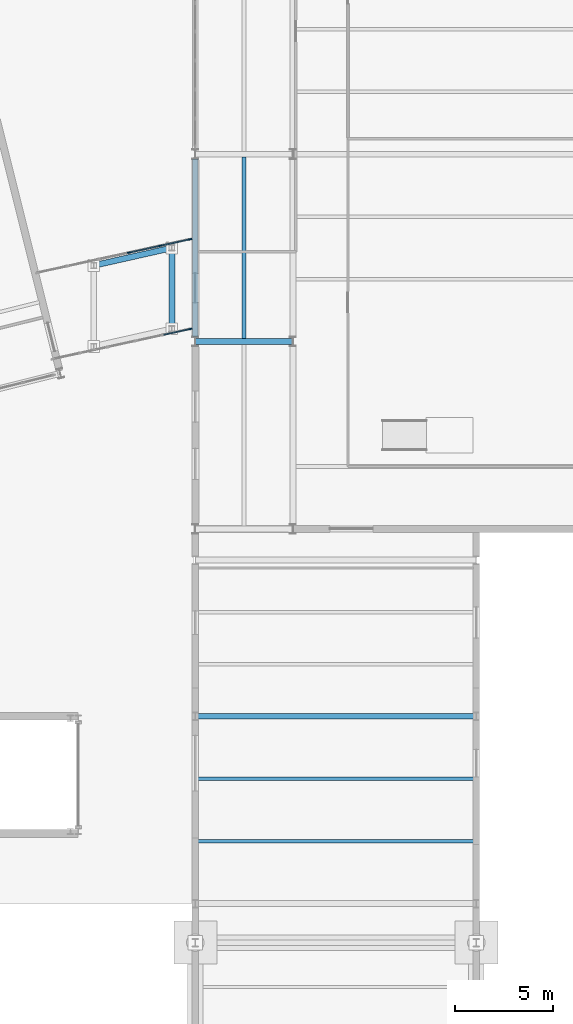
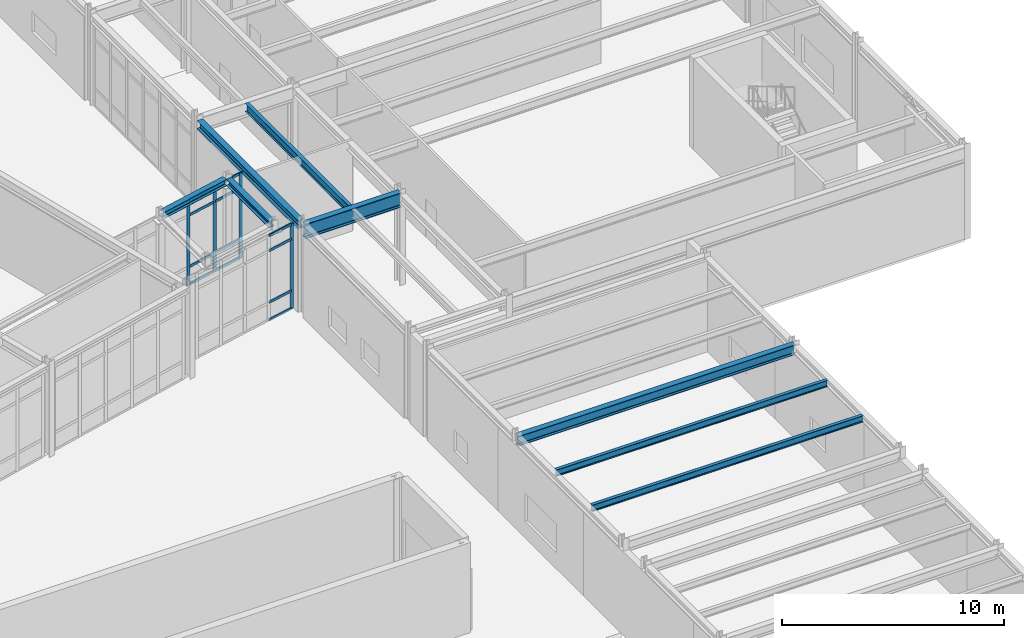
# One storey, part 32 of 109: 16 members, 8 beams, 2 elements without a shape of their own.
"""IFC4 building model written with IfcOpenShell, lengths in metres."""

from ifc_helpers import new_model, si_unit, direction, frame, origin, origin_2d, place, context, subcontext, project, spatial, rectangle, i_section, extrude, material, layer, layer_set, material_profile, profile_set, type_object, element, aggregate, save


model = new_model("IFC4")

# Units and contexts
model_context = context("Model", 3, precision=1e-05, world=origin(), true_north=direction((0.0, 1.0)))
body_context = subcontext(model_context, "Body", "Model", "MODEL_VIEW")
ifc_project = project(units=[si_unit("LENGTHUNIT", "METRE"), si_unit("AREAUNIT", "SQUARE_METRE"), si_unit("VOLUMEUNIT", "CUBIC_METRE"), si_unit("PLANEANGLEUNIT", "RADIAN"), si_unit("MASSUNIT", "GRAM", prefix="KILO")], contexts=[model_context])

# Site, building, storey
site_placement = place(None, origin())
site = spatial("IfcSite", under=ifc_project, at=site_placement, CompositionType="ELEMENT")
building_placement = place(site_placement, origin())
building = spatial("IfcBuilding", under=site, at=building_placement, Name="Nordkorset Police Headquarters", CompositionType="ELEMENT")
storey_placement = place(building_placement, origin())
storey = spatial("IfcBuildingStorey", under=building, at=storey_placement, Name="L00", CompositionType="ELEMENT", Elevation=0.0)

# Beams
ifc_material_1 = material(Name="Steel S355J2", Category="steel")
ifc_material_profile_1 = material_profile(ifc_material_1, i_section(OverallWidth=0.169921875, OverallDepth=0.360107421875, WebThickness=0.008056640625, FlangeThickness=0.0126953125, FilletRadius=0.01806640625, at=origin_2d()), Name="IPE 360")
ifc_profile_set_1 = profile_set([ifc_material_profile_1], Name="Steel S355J2")
beam_type_1 = type_object("IfcBeamType", Name="Beam_IPE_360", PredefinedType="BEAM", material=ifc_profile_set_1)
for number, where, z_axis, x_axis, name in (
    (1, (86.550048828125, 32.0, 4.820068359375), (1.0, 0.0, 0.0), (0.0, 1.0, 0.0), "Composite Floor Beam V7EN L00 0-0-1"),
    (2, (86.550048828125, 35.199951171875, 4.820068359375), (1.0, 0.0, 0.0), (0.0, 1.0, 0.0), "Composite Floor Beam V7EN L00 0-0-2"),
):
    element("IfcBeam", number, at=place(storey_placement, frame(where, z_axis=z_axis, x_axis=x_axis)), inside=storey, type_object=beam_type_1, Name=name, PredefinedType="BEAM", context=body_context, shape_type="SweptSolid", body=[
        extrude(i_section(OverallWidth=0.169921875, OverallDepth=0.360107421875, WebThickness=0.008056640625, FlangeThickness=0.0126953125, FilletRadius=0.01806640625, at=origin_2d()), origin(), (0.0, 0.0, 1.0), 14.099853515625),
    ])
ifc_material_2 = material(Name="Steel S355J2", Category="steel")
ifc_material_profile_2 = material_profile(ifc_material_2, i_section(OverallWidth=0.18994140625, OverallDepth=0.449951171875, WebThickness=0.009521484375, FlangeThickness=0.0146484375, FilletRadius=0.02099609375, at=origin_2d()), Name="IPE 450")
ifc_profile_set_2 = profile_set([ifc_material_profile_2], Name="Steel S355J2")
beam_type_2 = type_object("IfcBeamType", Name="Beam_IPE_450", PredefinedType="BEAM", material=ifc_profile_set_2)
beam_1_placement = place(storey_placement, frame((88.89990234375, 57.75, 4.77490234375), z_axis=(0.0, 1.0, 0.0), x_axis=(-1.0, 0.0, 0.0)))
element("IfcBeam", 3, at=beam_1_placement, inside=storey, type_object=beam_type_2, Name="Composite Floor Beam V5 L00 0-1-1", PredefinedType="BEAM", context=body_context, shape_type="SweptSolid", body=[
    extrude(i_section(OverallWidth=0.18994140625, OverallDepth=0.449951171875, WebThickness=0.009521484375, FlangeThickness=0.0146484375, FilletRadius=0.02099609375, at=origin_2d()), origin(), (0.0, 0.0, 1.0), 9.300048828125),
])

# Curtain wall, member
ifc_material_3 = material(Name="Aluminium alloy AW-6060", Category="aluminium")
ifc_layer_1 = layer(ifc_material_3, 0.179931640625, Name="Aluminium alloy AW-6060")
ifc_layer_set_1 = layer_set([ifc_layer_1], Name="Aluminium alloy AW-6060")
curtain_wall_type_1 = type_object("IfcCurtainWallType", Name="CW_Unit_727x468", PredefinedType="USERDEFINED", material=ifc_layer_set_1)
curtain_wall_1_placement = place(storey_placement, origin())
curtain_wall_1 = element("IfcCurtainWall", 4, at=curtain_wall_1_placement, inside=storey, type_object=curtain_wall_type_1, Name="Unitised Curtain Wall L00 BRGE-S", ObjectType="UNITISED CURTAIN WALL", PredefinedType="USERDEFINED")
ifc_material_4 = material(Name="Aluminium alloy AW-6060", Category="aluminium")
ifc_material_profile_3 = material_profile(ifc_material_4, rectangle(XDim=0.06494140625, YDim=0.179931640625, at=origin_2d()), Name="ALU MULL 65x180")
ifc_profile_set_3 = profile_set([ifc_material_profile_3], Name="Aluminium alloy AW-6060")
member_type_1 = type_object("IfcMemberType", Name="CW_Mullion_65x180", PredefinedType="MULLION", material=ifc_profile_set_3)
member_1_placement = place(storey_placement, frame((86.142333984375, 58.24462890625, 0.0), z_axis=(0.0, 0.0, 1.0), x_axis=(-0.213736608425, 0.976891325695, 0.0)))
member_1 = element("IfcMember", 5, at=member_1_placement, type_object=member_type_1, Name="CW-33 mullion 6", PredefinedType="MULLION", context=body_context, shape_type="SweptSolid", body=[
    extrude(rectangle(XDim=0.06494140625, YDim=0.179931640625, at=origin_2d()), origin(), (0.0, 0.0, 1.0), 4.68505859375),
])

# Curtain wall, members
ifc_material_5 = material(Name="Aluminium alloy AW-6060", Category="aluminium")
ifc_layer_2 = layer(ifc_material_5, 0.179931640625, Name="Aluminium alloy AW-6060")
ifc_layer_set_2 = layer_set([ifc_layer_2], Name="Aluminium alloy AW-6060")
curtain_wall_type_2 = type_object("IfcCurtainWallType", Name="CW_Unit_809x468", PredefinedType="USERDEFINED", material=ifc_layer_set_2)
curtain_wall_2_placement = place(storey_placement, origin())
curtain_wall_2 = element("IfcCurtainWall", 6, at=curtain_wall_2_placement, inside=storey, type_object=curtain_wall_type_2, Name="Unitised Curtain Wall L00 BRGE-N", ObjectType="UNITISED CURTAIN WALL", PredefinedType="USERDEFINED")
member_2_placement = place(storey_placement, frame((83.014892578125, 62.158203125, 0.0), z_axis=(0.0, 0.0, 1.0), x_axis=(-0.214298001706, 0.976768327939, 0.0)))
member_2 = element("IfcMember", 7, at=member_2_placement, type_object=member_type_1, Name="CW-59 mullion 4", PredefinedType="MULLION", context=body_context, shape_type="SweptSolid", body=[
    extrude(rectangle(XDim=0.06494140625, YDim=0.179931640625, at=origin_2d()), origin(), (0.0, 0.0, 1.0), 4.68505859375),
])
member_3_placement = place(storey_placement, frame((84.594482421875, 62.5048828125, 0.0), z_axis=(0.0, 0.0, 1.0), x_axis=(-0.214298001706, 0.976768327939, 0.0)))
member_3 = element("IfcMember", 8, at=member_3_placement, type_object=member_type_1, Name="CW-59 mullion 5", PredefinedType="MULLION", context=body_context, shape_type="SweptSolid", body=[
    extrude(rectangle(XDim=0.06494140625, YDim=0.179931640625, at=origin_2d()), origin(), (0.0, 0.0, 1.0), 4.68505859375),
])
member_4_placement = place(storey_placement, frame((86.142333984375, 62.844482421875, 0.0), z_axis=(0.0, 0.0, 1.0), x_axis=(-0.214298001706, 0.976768327939, 0.0)))
member_4 = element("IfcMember", 9, at=member_4_placement, type_object=member_type_1, Name="CW-59 mullion 6", PredefinedType="MULLION", context=body_context, shape_type="SweptSolid", body=[
    extrude(rectangle(XDim=0.06494140625, YDim=0.179931640625, at=origin_2d()), origin(), (0.0, 0.0, 1.0), 4.68505859375),
])

# Member
ifc_material_6 = material(Name="Aluminium alloy AW-6060", Category="aluminium")
ifc_material_profile_4 = material_profile(ifc_material_6, rectangle(XDim=0.06494140625, YDim=0.139892578125, at=origin_2d()), Name="ALU TRAN 65x140")
ifc_profile_set_4 = profile_set([ifc_material_profile_4], Name="Aluminium alloy AW-6060")
member_type_2 = type_object("IfcMemberType", Name="CW_Transom_65x140", PredefinedType="USERDEFINED", material=ifc_profile_set_4)
member_5_placement = place(storey_placement, frame((84.7861328125, 57.94775390625, 0.032470703125), z_axis=(0.976889443486, 0.213745210953, 0.0), x_axis=(-0.213745210953, 0.976889443486, 0.0)))
member_5 = element("IfcMember", 10, at=member_5_placement, type_object=member_type_2, Name="CW-33 transom 5.1", ObjectType="TRANSOM", PredefinedType="USERDEFINED", context=body_context, shape_type="SweptSolid", body=[
    extrude(rectangle(XDim=0.06494140625, YDim=0.139892578125, at=origin_2d()), origin(), (0.0, 0.0, 1.0), 1.355712890625),
])

member_6_placement = place(storey_placement, frame((84.7861328125, 57.94775390625, 1.0), z_axis=(0.976889443486, 0.213745210953, 0.0), x_axis=(-0.213745210953, 0.976889443486, 0.0)))
member_6 = element("IfcMember", 11, at=member_6_placement, type_object=member_type_2, Name="CW-33 transom 5.2", ObjectType="TRANSOM", PredefinedType="USERDEFINED", context=body_context, shape_type="SweptSolid", body=[
    extrude(rectangle(XDim=0.06494140625, YDim=0.139892578125, at=origin_2d()), origin(), (0.0, 0.0, 1.0), 1.355712890625),
])

member_7_placement = place(storey_placement, frame((84.7861328125, 57.94775390625, 3.8349609375), z_axis=(0.976889443486, 0.213745210953, 0.0), x_axis=(-0.213745210953, 0.976889443486, 0.0)))
member_7 = element("IfcMember", 12, at=member_7_placement, type_object=member_type_2, Name="CW-33 transom 5.3", ObjectType="TRANSOM", PredefinedType="USERDEFINED", context=body_context, shape_type="SweptSolid", body=[
    extrude(rectangle(XDim=0.06494140625, YDim=0.139892578125, at=origin_2d()), origin(), (0.0, 0.0, 1.0), 1.355712890625),
])

member_8_placement = place(storey_placement, frame((84.7861328125, 57.94775390625, 4.652587890625), z_axis=(0.976889443486, 0.213745210953, 0.0), x_axis=(-0.213745210953, 0.976889443486, 0.0)))
member_8 = element("IfcMember", 13, at=member_8_placement, type_object=member_type_2, Name="CW-33 transom 5.4", ObjectType="TRANSOM", PredefinedType="USERDEFINED", context=body_context, shape_type="SweptSolid", body=[
    extrude(rectangle(XDim=0.06494140625, YDim=0.139892578125, at=origin_2d()), origin(), (0.0, 0.0, 1.0), 1.355712890625),
])

aggregate(curtain_wall_1, [member_1, member_5, member_6, member_7, member_8])

member_9_placement = place(storey_placement, frame((83.046630859375, 62.165283203125, 0.032470703125), z_axis=(0.976782891569, 0.214231610035, 0.0), x_axis=(-0.214231610035, 0.976782891569, 0.0)))
member_9 = element("IfcMember", 14, at=member_9_placement, type_object=member_type_2, Name="CW-59 transom 4.1", ObjectType="TRANSOM", PredefinedType="USERDEFINED", context=body_context, shape_type="SweptSolid", body=[
    extrude(rectangle(XDim=0.06494140625, YDim=0.139892578125, at=origin_2d()), origin(), (0.0, 0.0, 1.0), 1.55224609375),
])

member_10_placement = place(storey_placement, frame((83.046630859375, 62.165283203125, 1.0), z_axis=(0.976782891569, 0.214231610035, 0.0), x_axis=(-0.214231610035, 0.976782891569, 0.0)))
member_10 = element("IfcMember", 15, at=member_10_placement, type_object=member_type_2, Name="CW-59 transom 4.2", ObjectType="TRANSOM", PredefinedType="USERDEFINED", context=body_context, shape_type="SweptSolid", body=[
    extrude(rectangle(XDim=0.06494140625, YDim=0.139892578125, at=origin_2d()), origin(), (0.0, 0.0, 1.0), 1.55224609375),
])

member_11_placement = place(storey_placement, frame((83.046630859375, 62.165283203125, 3.8349609375), z_axis=(0.976782891569, 0.214231610035, 0.0), x_axis=(-0.214231610035, 0.976782891569, 0.0)))
member_11 = element("IfcMember", 16, at=member_11_placement, type_object=member_type_2, Name="CW-59 transom 4.3", ObjectType="TRANSOM", PredefinedType="USERDEFINED", context=body_context, shape_type="SweptSolid", body=[
    extrude(rectangle(XDim=0.06494140625, YDim=0.139892578125, at=origin_2d()), origin(), (0.0, 0.0, 1.0), 1.55224609375),
])

member_12_placement = place(storey_placement, frame((83.046630859375, 62.165283203125, 4.652587890625), z_axis=(0.976782891569, 0.214231610035, 0.0), x_axis=(-0.214231610035, 0.976782891569, 0.0)))
member_12 = element("IfcMember", 17, at=member_12_placement, type_object=member_type_2, Name="CW-59 transom 4.4", ObjectType="TRANSOM", PredefinedType="USERDEFINED", context=body_context, shape_type="SweptSolid", body=[
    extrude(rectangle(XDim=0.06494140625, YDim=0.139892578125, at=origin_2d()), origin(), (0.0, 0.0, 1.0), 1.55224609375),
])

member_13_placement = place(storey_placement, frame((84.626220703125, 62.51171875, 0.032470703125), z_axis=(0.976765673538, 0.214310100082, 0.0), x_axis=(-0.214310100082, 0.976765673538, 0.0)))
member_13 = element("IfcMember", 18, at=member_13_placement, type_object=member_type_2, Name="CW-59 transom 5.1", ObjectType="TRANSOM", PredefinedType="USERDEFINED", context=body_context, shape_type="SweptSolid", body=[
    extrude(rectangle(XDim=0.06494140625, YDim=0.139892578125, at=origin_2d()), origin(), (0.0, 0.0, 1.0), 1.519775390625),
])

member_14_placement = place(storey_placement, frame((84.626220703125, 62.51171875, 1.0), z_axis=(0.976765673538, 0.214310100082, 0.0), x_axis=(-0.214310100082, 0.976765673538, 0.0)))
member_14 = element("IfcMember", 19, at=member_14_placement, type_object=member_type_2, Name="CW-59 transom 5.2", ObjectType="TRANSOM", PredefinedType="USERDEFINED", context=body_context, shape_type="SweptSolid", body=[
    extrude(rectangle(XDim=0.06494140625, YDim=0.139892578125, at=origin_2d()), origin(), (0.0, 0.0, 1.0), 1.519775390625),
])

member_15_placement = place(storey_placement, frame((84.626220703125, 62.51171875, 3.8349609375), z_axis=(0.976765673538, 0.214310100082, 0.0), x_axis=(-0.214310100082, 0.976765673538, 0.0)))
member_15 = element("IfcMember", 20, at=member_15_placement, type_object=member_type_2, Name="CW-59 transom 5.3", ObjectType="TRANSOM", PredefinedType="USERDEFINED", context=body_context, shape_type="SweptSolid", body=[
    extrude(rectangle(XDim=0.06494140625, YDim=0.139892578125, at=origin_2d()), origin(), (0.0, 0.0, 1.0), 1.519775390625),
])

member_16_placement = place(storey_placement, frame((84.626220703125, 62.51171875, 4.652587890625), z_axis=(0.976765673538, 0.214310100082, 0.0), x_axis=(-0.214310100082, 0.976765673538, 0.0)))
member_16 = element("IfcMember", 21, at=member_16_placement, type_object=member_type_2, Name="CW-59 transom 5.4", ObjectType="TRANSOM", PredefinedType="USERDEFINED", context=body_context, shape_type="SweptSolid", body=[
    extrude(rectangle(XDim=0.06494140625, YDim=0.139892578125, at=origin_2d()), origin(), (0.0, 0.0, 1.0), 1.519775390625),
])

aggregate(curtain_wall_2, [member_2, member_3, member_4, member_9, member_10, member_11, member_12, member_13, member_14, member_15, member_16])

# Beams
ifc_material_7 = material(Name="Steel S355J2", Category="steel")
ifc_material_profile_5 = material_profile(ifc_material_7, i_section(OverallWidth=0.300048828125, OverallDepth=0.35009765625, WebThickness=0.010009765625, FlangeThickness=0.017578125, FilletRadius=0.027099609375, at=origin_2d()), Name="HEA 360")
ifc_profile_set_5 = profile_set([ifc_material_profile_5], Name="Steel S355J2")
beam_type_3 = type_object("IfcBeamType", Name="Girder_HEA_360", PredefinedType="USERDEFINED", material=ifc_profile_set_5)
beam_2_placement = place(storey_placement, frame((81.346435546875, 61.532958984375, 4.8798828125), z_axis=(0.97560459612, 0.219535127095, 0.0), x_axis=(-0.219535127095, 0.97560459612, 0.0)))
element("IfcBeam", 22, at=beam_2_placement, inside=storey, type_object=beam_type_3, Name="Courtyard Link Bridge Girder BRG-E L00 1", ObjectType="GIRDER", PredefinedType="USERDEFINED", context=body_context, shape_type="SweptSolid", body=[
    extrude(i_section(OverallWidth=0.300048828125, OverallDepth=0.35009765625, WebThickness=0.010009765625, FlangeThickness=0.017578125, FilletRadius=0.027099609375, at=origin_2d()), origin(), (0.0, 0.0, 1.0), 3.800048828125),
])
beam_3_placement = place(storey_placement, frame((85.199951171875, 58.39990234375, 4.8798828125), z_axis=(0.0, 1.0, 0.0), x_axis=(-1.0, 0.0, 0.0)))
element("IfcBeam", 23, at=beam_3_placement, inside=storey, type_object=beam_type_3, Name="Courtyard Link Bridge Transverse Beam BRG-E L00 1", ObjectType="GIRDER", PredefinedType="USERDEFINED", context=body_context, shape_type="SweptSolid", body=[
    extrude(i_section(OverallWidth=0.300048828125, OverallDepth=0.35009765625, WebThickness=0.010009765625, FlangeThickness=0.017578125, FilletRadius=0.027099609375, at=origin_2d()), origin(), (0.0, 0.0, 1.0), 3.85009765625),
])
ifc_material_8 = material(Name="Steel S355J2", Category="steel")
ifc_material_profile_6 = material_profile(ifc_material_8, i_section(OverallWidth=0.300048828125, OverallDepth=0.43994140625, WebThickness=0.011474609375, FlangeThickness=0.02099609375, FilletRadius=0.027099609375, at=origin_2d()), Name="HEA 450")
ifc_profile_set_6 = profile_set([ifc_material_profile_6], Name="Steel S355J2")
beam_type_4 = type_object("IfcBeamType", Name="Girder_HEA_450", PredefinedType="USERDEFINED", material=ifc_profile_set_6)
beam_4_placement = place(storey_placement, frame((86.39990234375, 57.85009765625, 4.780029296875), z_axis=(0.0, 1.0, 0.0), x_axis=(-1.0, 0.0, 0.0)))
element("IfcBeam", 24, at=beam_4_placement, inside=storey, type_object=beam_type_4, Name="Girder V5 L00 GY-0-1", ObjectType="GIRDER", PredefinedType="USERDEFINED", context=body_context, shape_type="SweptSolid", body=[
    extrude(i_section(OverallWidth=0.300048828125, OverallDepth=0.43994140625, WebThickness=0.011474609375, FlangeThickness=0.02099609375, FilletRadius=0.027099609375, at=origin_2d()), origin(), (0.0, 0.0, 1.0), 9.099853515625),
])
ifc_material_9 = material(Name="Steel S355J2", Category="steel")
ifc_material_profile_7 = material_profile(ifc_material_9, i_section(OverallWidth=0.300048828125, OverallDepth=0.5400390625, WebThickness=0.012451171875, FlangeThickness=0.02392578125, FilletRadius=0.027099609375, at=origin_2d()), Name="HEA 550")
ifc_profile_set_7 = profile_set([ifc_material_profile_7], Name="Steel S355J2")
beam_type_5 = type_object("IfcBeamType", Name="Girder_HEA_550", PredefinedType="USERDEFINED", material=ifc_profile_set_7)
beam_5_placement = place(storey_placement, frame((86.40673828125, 38.39990234375, 4.72998046875), z_axis=(1.0, 0.0, 0.0), x_axis=(0.0, 1.0, 0.0)))
element("IfcBeam", 25, at=beam_5_placement, inside=storey, type_object=beam_type_5, Name="Girder V7EN L00 GX-1-0", ObjectType="GIRDER", PredefinedType="USERDEFINED", context=body_context, shape_type="SweptSolid", body=[
    extrude(i_section(OverallWidth=0.300048828125, OverallDepth=0.5400390625, WebThickness=0.012451171875, FlangeThickness=0.02392578125, FilletRadius=0.027099609375, at=origin_2d()), origin(), (0.0, 0.0, 1.0), 14.386474609375),
])
ifc_material_10 = material(Name="Steel S355J2", Category="steel")
ifc_material_profile_8 = material_profile(ifc_material_10, i_section(OverallWidth=0.300048828125, OverallDepth=0.800048828125, WebThickness=0.017578125, FlangeThickness=0.032958984375, FilletRadius=0.030029296875, at=origin_2d()), Name="HEB 800")
ifc_profile_set_8 = profile_set([ifc_material_profile_8], Name="Steel S355J2")
beam_type_6 = type_object("IfcBeamType", Name="Girder_HEB_800", PredefinedType="USERDEFINED", material=ifc_profile_set_8)
beam_6_placement = place(storey_placement, frame((86.4072265625, 57.60009765625, 4.60009765625), z_axis=(1.0, 0.0, 0.0), x_axis=(0.0, 1.0, 0.0)))
element("IfcBeam", 26, at=beam_6_placement, inside=storey, type_object=beam_type_6, Name="Girder V5 L00 GX-1-0", ObjectType="GIRDER", PredefinedType="USERDEFINED", context=body_context, shape_type="SweptSolid", body=[
    extrude(i_section(OverallWidth=0.300048828125, OverallDepth=0.800048828125, WebThickness=0.017578125, FlangeThickness=0.032958984375, FilletRadius=0.030029296875, at=origin_2d()), origin(), (0.0, 0.0, 1.0), 4.9853515625),
])

save(model, "model.ifc")
